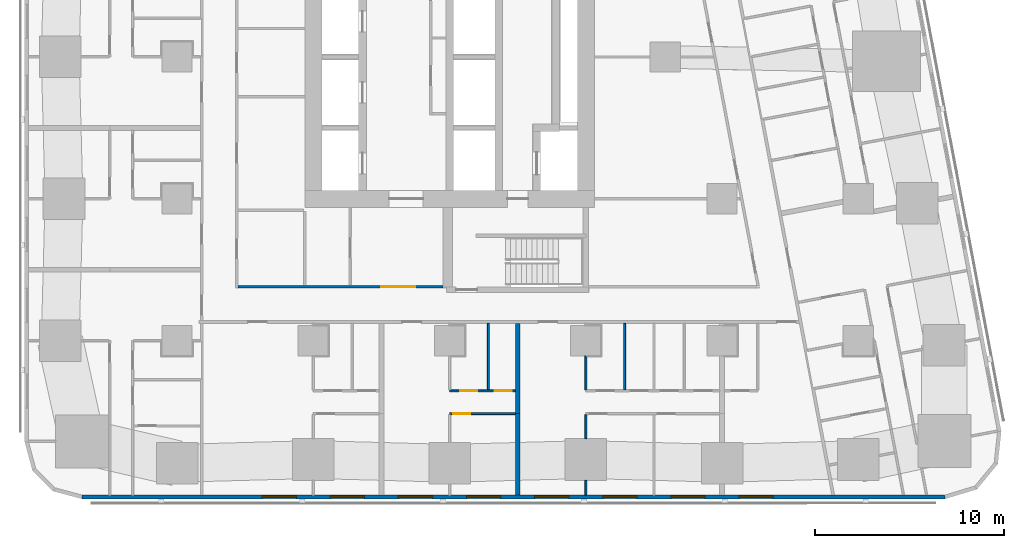
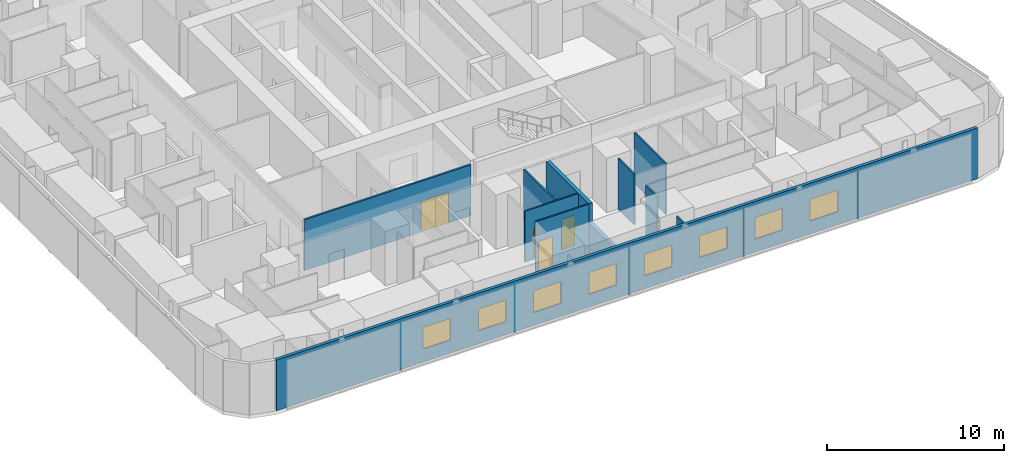
# One storey, part 3 of 16: 11 walls, 8 windows, 4 doors, 12 openings.
"""IFC4 building model written with IfcOpenShell, lengths in metres."""

from ifc_helpers import new_model, si_unit, direction, frame, frame_2d, origin, place, context, subcontext, project, spatial, rectangle, extrude, material, layer, layer_set, type_object, element, fill, save


model = new_model("IFC4")

# Units and contexts
model_context = context("Model", 3, precision=1e-05, world=origin(), true_north=direction((0.0, 1.0)))
body_context = subcontext(model_context, "Body", "Model", "MODEL_VIEW")
ifc_project = project(units=[si_unit("LENGTHUNIT", "METRE"), si_unit("AREAUNIT", "SQUARE_METRE"), si_unit("VOLUMEUNIT", "CUBIC_METRE"), si_unit("PLANEANGLEUNIT", "RADIAN"), si_unit("MASSUNIT", "GRAM", prefix="KILO")], contexts=[model_context])

# Site, building, storey
site_placement = place(None, origin())
site = spatial("IfcSite", under=ifc_project, at=site_placement, CompositionType="ELEMENT")
building_placement = place(site_placement, origin())
building = spatial("IfcBuilding", under=site, at=building_placement, Name="Sheger Commons Tower", CompositionType="ELEMENT")
storey_placement = place(building_placement, frame((0.0, 0.0, 96.64990234375)))
storey = spatial("IfcBuildingStorey", under=building, at=storey_placement, Name="L24", CompositionType="ELEMENT", Elevation=96.64990234375)

# Walls
ifc_material_1 = material(Name="Dense concrete block masonry, plastered both sides (separating wall between flats)", Category="masonry")
ifc_layer_1 = layer(ifc_material_1, 0.25)
ifc_layer_set_1 = layer_set([ifc_layer_1], Name="DEMISING WALL 250")
wall_type_1 = type_object("IfcWallType", Name="DEMISING WALL 250", PredefinedType="SOLIDWALL", material=ifc_layer_set_1)
wall_1_placement = place(storey_placement, frame((25.199951171875, -0.64990234375, 0.0), z_axis=(0.0, 0.0, 1.0), x_axis=(0.0, 1.0, 0.0)))
element("IfcWall", 1, at=wall_1_placement, inside=storey, type_object=wall_type_1, Name="Demising wall L24", PredefinedType="SOLIDWALL", context=body_context, shape_type="SweptSolid", body=[
    extrude(rectangle(XDim=4.2998046875, YDim=0.25, at=frame_2d((2.14990234375, 0.0))), origin(), (0.0, 0.0, 1.0), 2.2001953125),
])
wall_2_placement = place(storey_placement, frame((25.199951171875, 3.64990234375, 0.0), z_axis=(0.0, 0.0, 1.0), x_axis=(0.0, 1.0, 0.0)))
element("IfcWall", 2, at=wall_2_placement, inside=storey, type_object=wall_type_1, Name="Demising wall L24", PredefinedType="SOLIDWALL", context=body_context, shape_type="SweptSolid", body=[
    extrude(rectangle(XDim=4.775146484375, YDim=0.25, at=frame_2d((2.3876953125, 0.0))), origin(), (0.0, 0.0, 1.0), 3.5),
])

# Wall, openings, windows
ifc_material_2 = material(Name="Rendered concrete block masonry, dark grey", Category="masonry")
ifc_layer_2 = layer(ifc_material_2, 0.199951171875)
ifc_layer_set_2 = layer_set([ifc_layer_2], Name="FACADE WALL 200")
wall_type_2 = type_object("IfcWallType", Name="FACADE WALL 200", PredefinedType="SOLIDWALL", material=ifc_layer_set_2)
wall_3_placement = place(storey_placement, frame((2.1630859375, -0.75, 0.0), z_axis=(0.0, 0.0, 1.0), x_axis=(1.0, 0.0, 0.0)))
wall_3 = element("IfcWall", 3, at=wall_3_placement, inside=storey, type_object=wall_type_2, Name="Facade wall L24", PredefinedType="SOLIDWALL", context=body_context, shape_type="SweptSolid", body=[
    extrude(rectangle(XDim=45.6279296875, YDim=0.199951171875, at=frame_2d((22.81396484375, 0.0))), origin(), (0.0, 0.0, 1.0), 3.5),
])
opening_1_placement = place(wall_3_placement, frame((9.537109375, 0.0, 0.89990234375)))
opening_1 = element("IfcOpeningElement", 4, at=opening_1_placement, cuts=wall_3, Name="Opening W2", PredefinedType="OPENING", context=body_context, shape_type="SweptSolid", body=[
    extrude(rectangle(XDim=1.800048828125, YDim=1.5, at=frame_2d((0.89990234375, 0.75))), frame((0.0, 0.10986328125, 0.0), z_axis=(0.0, -1.0, 0.0), x_axis=(1.0, 0.0, 0.0)), (0.0, 0.0, 1.0), 0.219970703125),
])
opening_2_placement = place(wall_3_placement, frame((13.136962890625, 0.0, 0.89990234375)))
opening_2 = element("IfcOpeningElement", 5, at=opening_2_placement, cuts=wall_3, Name="Opening W2", PredefinedType="OPENING", context=body_context, shape_type="SweptSolid", body=[
    extrude(rectangle(XDim=1.800048828125, YDim=1.5, at=frame_2d((0.89990234375, 0.75))), frame((0.0, 0.10986328125, 0.0), z_axis=(0.0, -1.0, 0.0), x_axis=(1.0, 0.0, 0.0)), (0.0, 0.0, 1.0), 0.219970703125),
])
opening_3_placement = place(wall_3_placement, frame((16.737060546875, 0.0, 0.89990234375)))
opening_3 = element("IfcOpeningElement", 6, at=opening_3_placement, cuts=wall_3, Name="Opening W2", PredefinedType="OPENING", context=body_context, shape_type="SweptSolid", body=[
    extrude(rectangle(XDim=1.800048828125, YDim=1.5, at=frame_2d((0.89990234375, 0.75))), frame((0.0, 0.10986328125, 0.0), z_axis=(0.0, -1.0, 0.0), x_axis=(1.0, 0.0, 0.0)), (0.0, 0.0, 1.0), 0.219970703125),
])
opening_4_placement = place(wall_3_placement, frame((20.3369140625, 0.0, 0.89990234375)))
opening_4 = element("IfcOpeningElement", 7, at=opening_4_placement, cuts=wall_3, Name="Opening W2", PredefinedType="OPENING", context=body_context, shape_type="SweptSolid", body=[
    extrude(rectangle(XDim=1.800048828125, YDim=1.5, at=frame_2d((0.89990234375, 0.75))), frame((0.0, 0.10986328125, 0.0), z_axis=(0.0, -1.0, 0.0), x_axis=(1.0, 0.0, 0.0)), (0.0, 0.0, 1.0), 0.219970703125),
])
opening_5_placement = place(wall_3_placement, frame((23.93701171875, 0.0, 0.89990234375)))
opening_5 = element("IfcOpeningElement", 8, at=opening_5_placement, cuts=wall_3, Name="Opening W2", PredefinedType="OPENING", context=body_context, shape_type="SweptSolid", body=[
    extrude(rectangle(XDim=1.800048828125, YDim=1.5, at=frame_2d((0.89990234375, 0.75))), frame((0.0, 0.10986328125, 0.0), z_axis=(0.0, -1.0, 0.0), x_axis=(1.0, 0.0, 0.0)), (0.0, 0.0, 1.0), 0.219970703125),
])
opening_6_placement = place(wall_3_placement, frame((27.537109375, 0.0, 0.89990234375)))
opening_6 = element("IfcOpeningElement", 9, at=opening_6_placement, cuts=wall_3, Name="Opening W2", PredefinedType="OPENING", context=body_context, shape_type="SweptSolid", body=[
    extrude(rectangle(XDim=1.800048828125, YDim=1.5, at=frame_2d((0.89990234375, 0.75))), frame((0.0, 0.10986328125, 0.0), z_axis=(0.0, -1.0, 0.0), x_axis=(1.0, 0.0, 0.0)), (0.0, 0.0, 1.0), 0.219970703125),
])
opening_7_placement = place(wall_3_placement, frame((31.136962890625, 0.0, 0.89990234375)))
opening_7 = element("IfcOpeningElement", 10, at=opening_7_placement, cuts=wall_3, Name="Opening W2", PredefinedType="OPENING", context=body_context, shape_type="SweptSolid", body=[
    extrude(rectangle(XDim=1.800048828125, YDim=1.5, at=frame_2d((0.89990234375, 0.75))), frame((0.0, 0.10986328125, 0.0), z_axis=(0.0, -1.0, 0.0), x_axis=(1.0, 0.0, 0.0)), (0.0, 0.0, 1.0), 0.219970703125),
])
opening_8_placement = place(wall_3_placement, frame((34.737060546875, 0.0, 0.89990234375)))
opening_8 = element("IfcOpeningElement", 11, at=opening_8_placement, cuts=wall_3, Name="Opening W2", PredefinedType="OPENING", context=body_context, shape_type="SweptSolid", body=[
    extrude(rectangle(XDim=1.800048828125, YDim=1.5, at=frame_2d((0.89990234375, 0.75))), frame((0.0, 0.10986328125, 0.0), z_axis=(0.0, -1.0, 0.0), x_axis=(1.0, 0.0, 0.0)), (0.0, 0.0, 1.0), 0.219970703125),
])
ifc_material_3 = material(Name="Black aluminium frame, dark tinted double glazing", Category="aluminium")
window_type = type_object("IfcWindowType", Name="WINDOW W2 1800x1500", PartitioningType="SINGLE_PANEL", PredefinedType="WINDOW", material=ifc_material_3)
window_1_placement = place(opening_1_placement, origin())
window_1 = element("IfcWindow", 12, at=window_1_placement, inside=storey, type_object=window_type, Name="Window W2 1800X1500", OverallHeight=1.5, OverallWidth=1.800048828125, PartitioningType="SINGLE_PANEL", PredefinedType="WINDOW", context=body_context, shape_type="SweptSolid", body=[
    extrude(rectangle(XDim=1.800048828125, YDim=1.5, at=frame_2d((0.89990234375, 0.75))), frame((0.0, 0.030029296875, 0.0), z_axis=(0.0, -1.0, 0.0), x_axis=(1.0, 0.0, 0.0)), (0.0, 0.0, 1.0), 0.06005859375),
])
fill(opening_1, window_1)
window_2_placement = place(opening_2_placement, origin())
window_2 = element("IfcWindow", 13, at=window_2_placement, inside=storey, type_object=window_type, Name="Window W2 1800X1500", OverallHeight=1.5, OverallWidth=1.800048828125, PartitioningType="SINGLE_PANEL", PredefinedType="WINDOW", context=body_context, shape_type="SweptSolid", body=[
    extrude(rectangle(XDim=1.800048828125, YDim=1.5, at=frame_2d((0.89990234375, 0.75))), frame((0.0, 0.030029296875, 0.0), z_axis=(0.0, -1.0, 0.0), x_axis=(1.0, 0.0, 0.0)), (0.0, 0.0, 1.0), 0.06005859375),
])
fill(opening_2, window_2)
window_3_placement = place(opening_3_placement, origin())
window_3 = element("IfcWindow", 14, at=window_3_placement, inside=storey, type_object=window_type, Name="Window W2 1800X1500", OverallHeight=1.5, OverallWidth=1.800048828125, PartitioningType="SINGLE_PANEL", PredefinedType="WINDOW", context=body_context, shape_type="SweptSolid", body=[
    extrude(rectangle(XDim=1.800048828125, YDim=1.5, at=frame_2d((0.89990234375, 0.75))), frame((0.0, 0.030029296875, 0.0), z_axis=(0.0, -1.0, 0.0), x_axis=(1.0, 0.0, 0.0)), (0.0, 0.0, 1.0), 0.06005859375),
])
fill(opening_3, window_3)
window_4_placement = place(opening_4_placement, origin())
window_4 = element("IfcWindow", 15, at=window_4_placement, inside=storey, type_object=window_type, Name="Window W2 1800X1500", OverallHeight=1.5, OverallWidth=1.800048828125, PartitioningType="SINGLE_PANEL", PredefinedType="WINDOW", context=body_context, shape_type="SweptSolid", body=[
    extrude(rectangle(XDim=1.800048828125, YDim=1.5, at=frame_2d((0.89990234375, 0.75))), frame((0.0, 0.030029296875, 0.0), z_axis=(0.0, -1.0, 0.0), x_axis=(1.0, 0.0, 0.0)), (0.0, 0.0, 1.0), 0.06005859375),
])
fill(opening_4, window_4)
window_5_placement = place(opening_5_placement, origin())
window_5 = element("IfcWindow", 16, at=window_5_placement, inside=storey, type_object=window_type, Name="Window W2 1800X1500", OverallHeight=1.5, OverallWidth=1.800048828125, PartitioningType="SINGLE_PANEL", PredefinedType="WINDOW", context=body_context, shape_type="SweptSolid", body=[
    extrude(rectangle(XDim=1.800048828125, YDim=1.5, at=frame_2d((0.89990234375, 0.75))), frame((0.0, 0.030029296875, 0.0), z_axis=(0.0, -1.0, 0.0), x_axis=(1.0, 0.0, 0.0)), (0.0, 0.0, 1.0), 0.06005859375),
])
fill(opening_5, window_5)
window_6_placement = place(opening_6_placement, origin())
window_6 = element("IfcWindow", 17, at=window_6_placement, inside=storey, type_object=window_type, Name="Window W2 1800X1500", OverallHeight=1.5, OverallWidth=1.800048828125, PartitioningType="SINGLE_PANEL", PredefinedType="WINDOW", context=body_context, shape_type="SweptSolid", body=[
    extrude(rectangle(XDim=1.800048828125, YDim=1.5, at=frame_2d((0.89990234375, 0.75))), frame((0.0, 0.030029296875, 0.0), z_axis=(0.0, -1.0, 0.0), x_axis=(1.0, 0.0, 0.0)), (0.0, 0.0, 1.0), 0.06005859375),
])
fill(opening_6, window_6)
window_7_placement = place(opening_7_placement, origin())
window_7 = element("IfcWindow", 18, at=window_7_placement, inside=storey, type_object=window_type, Name="Window W2 1800X1500", OverallHeight=1.5, OverallWidth=1.800048828125, PartitioningType="SINGLE_PANEL", PredefinedType="WINDOW", context=body_context, shape_type="SweptSolid", body=[
    extrude(rectangle(XDim=1.800048828125, YDim=1.5, at=frame_2d((0.89990234375, 0.75))), frame((0.0, 0.030029296875, 0.0), z_axis=(0.0, -1.0, 0.0), x_axis=(1.0, 0.0, 0.0)), (0.0, 0.0, 1.0), 0.06005859375),
])
fill(opening_7, window_7)
window_8_placement = place(opening_8_placement, origin())
window_8 = element("IfcWindow", 19, at=window_8_placement, inside=storey, type_object=window_type, Name="Window W2 1800X1500", OverallHeight=1.5, OverallWidth=1.800048828125, PartitioningType="SINGLE_PANEL", PredefinedType="WINDOW", context=body_context, shape_type="SweptSolid", body=[
    extrude(rectangle(XDim=1.800048828125, YDim=1.5, at=frame_2d((0.89990234375, 0.75))), frame((0.0, 0.030029296875, 0.0), z_axis=(0.0, -1.0, 0.0), x_axis=(1.0, 0.0, 0.0)), (0.0, 0.0, 1.0), 0.06005859375),
])
fill(opening_8, window_8)

# Wall, opening, door
ifc_material_4 = material(Name="Gypsum board on steel studs", Category="steel")
ifc_layer_3 = layer(ifc_material_4, 0.10009765625)
ifc_layer_set_3 = layer_set([ifc_layer_3], Name="PARTITION 100")
wall_type_3 = type_object("IfcWallType", Name="PARTITION 100", PredefinedType="PARTITIONING", material=ifc_layer_set_3)
wall_4_placement = place(storey_placement, frame((25.074951171875, 3.64990234375, 0.0), z_axis=(0.0, 0.0, 1.0), x_axis=(-1.0, 0.0, 0.0)))
wall_4 = element("IfcWall", 20, at=wall_4_placement, inside=storey, type_object=wall_type_3, Name="Partition L24", PredefinedType="PARTITIONING", context=body_context, shape_type="SweptSolid", body=[
    extrude(rectangle(XDim=3.474853515625, YDim=0.10009765625, at=frame_2d((1.7373046875, 0.0))), origin(), (0.0, 0.0, 1.0), 3.5),
])
opening_9_placement = place(wall_4_placement, frame((2.375, 0.0, 0.0)))
opening_9 = element("IfcOpeningElement", 21, at=opening_9_placement, cuts=wall_4, Name="Opening D2", PredefinedType="OPENING", context=body_context, shape_type="SweptSolid", body=[
    extrude(rectangle(XDim=0.89990234375, YDim=2.10009765625, at=frame_2d((0.449951171875, 1.050048828125))), frame((0.0, 0.06005859375, 0.0), z_axis=(0.0, -1.0, 0.0), x_axis=(1.0, 0.0, 0.0)), (0.0, 0.0, 1.0), 0.1201171875),
])
ifc_material_5 = material(Name="Timber door set", Category="wood")
door_type_1 = type_object("IfcDoorType", Name="INTERNAL DOOR 900x2100", OperationType="NOTDEFINED", PredefinedType="DOOR", material=ifc_material_5)
door_1_placement = place(opening_9_placement, origin())
door_1 = element("IfcDoor", 22, at=door_1_placement, inside=storey, type_object=door_type_1, Name="Main bedroom door", OperationType="SINGLE_SWING_RIGHT", OverallHeight=2.10009765625, OverallWidth=0.89990234375, PredefinedType="DOOR", context=body_context, shape_type="SweptSolid", body=[
    extrude(rectangle(XDim=0.89990234375, YDim=2.10009765625, at=frame_2d((0.449951171875, 1.050048828125))), frame((0.0, 0.02490234375, 0.0), z_axis=(0.0, -1.0, 0.0), x_axis=(1.0, 0.0, 0.0)), (0.0, 0.0, 1.0), 0.050048828125),
])
fill(opening_9, door_1)

# Wall, openings, doors
wall_5_placement = place(storey_placement, frame((25.074951171875, 4.85009765625, 0.0), z_axis=(0.0, 0.0, 1.0), x_axis=(-1.0, 0.0, 0.0)))
wall_5 = element("IfcWall", 23, at=wall_5_placement, inside=storey, type_object=wall_type_3, Name="Partition L24", PredefinedType="PARTITIONING", context=body_context, shape_type="SweptSolid", body=[
    extrude(rectangle(XDim=3.474853515625, YDim=0.10009765625, at=frame_2d((1.7373046875, 0.0))), origin(), (0.0, 0.0, 1.0), 3.5),
])
opening_10_placement = place(wall_5_placement, frame((2.0, 0.0, 0.0)))
opening_10 = element("IfcOpeningElement", 24, at=opening_10_placement, cuts=wall_5, Name="Opening D2", PredefinedType="OPENING", context=body_context, shape_type="SweptSolid", body=[
    extrude(rectangle(XDim=0.89990234375, YDim=2.10009765625, at=frame_2d((0.449951171875, 1.050048828125))), frame((0.0, 0.06005859375, 0.0), z_axis=(0.0, -1.0, 0.0), x_axis=(1.0, 0.0, 0.0)), (0.0, 0.0, 1.0), 0.1201171875),
])
opening_11_placement = place(wall_5_placement, frame((0.199951171875, 0.0, 0.0)))
opening_11 = element("IfcOpeningElement", 25, at=opening_11_placement, cuts=wall_5, Name="Opening D2", PredefinedType="OPENING", context=body_context, shape_type="SweptSolid", body=[
    extrude(rectangle(XDim=0.89990234375, YDim=2.10009765625, at=frame_2d((0.449951171875, 1.050048828125))), frame((0.0, 0.06005859375, 0.0), z_axis=(0.0, -1.0, 0.0), x_axis=(1.0, 0.0, 0.0)), (0.0, 0.0, 1.0), 0.1201171875),
])
door_2_placement = place(opening_10_placement, origin())
door_2 = element("IfcDoor", 26, at=door_2_placement, inside=storey, type_object=door_type_1, Name="Bathroom door", OperationType="SINGLE_SWING_LEFT", OverallHeight=2.10009765625, OverallWidth=0.89990234375, PredefinedType="DOOR", context=body_context, shape_type="SweptSolid", body=[
    extrude(rectangle(XDim=0.89990234375, YDim=2.10009765625, at=frame_2d((0.449951171875, 1.050048828125))), frame((0.0, 0.02490234375, 0.0), z_axis=(0.0, -1.0, 0.0), x_axis=(1.0, 0.0, 0.0)), (0.0, 0.0, 1.0), 0.050048828125),
])
fill(opening_10, door_2)
door_3_placement = place(opening_11_placement, origin())
door_3 = element("IfcDoor", 27, at=door_3_placement, inside=storey, type_object=door_type_1, Name="Store door", OperationType="SINGLE_SWING_RIGHT", OverallHeight=2.10009765625, OverallWidth=0.89990234375, PredefinedType="DOOR", context=body_context, shape_type="SweptSolid", body=[
    extrude(rectangle(XDim=0.89990234375, YDim=2.10009765625, at=frame_2d((0.449951171875, 1.050048828125))), frame((0.0, 0.02490234375, 0.0), z_axis=(0.0, -1.0, 0.0), x_axis=(1.0, 0.0, 0.0)), (0.0, 0.0, 1.0), 0.050048828125),
])
fill(opening_11, door_3)

# Walls
wall_6_placement = place(storey_placement, frame((23.64990234375, 4.89990234375, 0.0), z_axis=(0.0, 0.0, 1.0), x_axis=(0.0, 1.0, 0.0)))
element("IfcWall", 28, at=wall_6_placement, inside=storey, type_object=wall_type_3, Name="Partition L24", PredefinedType="PARTITIONING", context=body_context, shape_type="SweptSolid", body=[
    extrude(rectangle(XDim=3.525146484375, YDim=0.10009765625, at=frame_2d((1.7626953125, 0.0))), origin(), (0.0, 0.0, 1.0), 3.5),
])
wall_7_placement = place(storey_placement, frame((28.800048828125, -0.64990234375, 0.0), z_axis=(0.0, 0.0, 1.0), x_axis=(0.0, 1.0, 0.0)))
element("IfcWall", 29, at=wall_7_placement, inside=storey, type_object=wall_type_3, Name="Partition L24", PredefinedType="PARTITIONING", context=body_context, shape_type="SweptSolid", body=[
    extrude(rectangle(XDim=0.77392578125, YDim=0.10009765625, at=frame_2d((0.386962890625, 0.0))), origin(), (0.0, 0.0, 1.0), 3.5),
])
wall_8_placement = place(storey_placement, frame((28.800048828125, 2.325927734375, 0.0), z_axis=(0.0, 0.0, 1.0), x_axis=(0.0, 1.0, 0.0)))
element("IfcWall", 30, at=wall_8_placement, inside=storey, type_object=wall_type_3, Name="Partition L24", PredefinedType="PARTITIONING", context=body_context, shape_type="SweptSolid", body=[
    extrude(rectangle(XDim=1.274169921875, YDim=0.10009765625, at=frame_2d((0.63720703125, 0.0))), origin(), (0.0, 0.0, 1.0), 3.5),
])
wall_9_placement = place(storey_placement, frame((28.800048828125, 4.89990234375, 0.0), z_axis=(0.0, 0.0, 1.0), x_axis=(0.0, 1.0, 0.0)))
element("IfcWall", 31, at=wall_9_placement, inside=storey, type_object=wall_type_3, Name="Partition L24", PredefinedType="PARTITIONING", context=body_context, shape_type="SweptSolid", body=[
    extrude(rectangle(XDim=1.799072265625, YDim=0.10009765625, at=frame_2d((0.8994140625, 0.0))), origin(), (0.0, 0.0, 1.0), 3.5),
])
wall_10_placement = place(storey_placement, frame((30.85009765625, 4.89990234375, 0.0), z_axis=(0.0, 0.0, 1.0), x_axis=(0.0, 1.0, 0.0)))
element("IfcWall", 32, at=wall_10_placement, inside=storey, type_object=wall_type_3, Name="Partition L24", PredefinedType="PARTITIONING", context=body_context, shape_type="SweptSolid", body=[
    extrude(rectangle(XDim=3.525146484375, YDim=0.10009765625, at=frame_2d((1.7626953125, 0.0))), origin(), (0.0, 0.0, 1.0), 3.5),
])

# Wall, opening, door
ifc_material_6 = material(Name="Gypsum board on steel studs, two layers each side, fire rated", Category="steel")
ifc_layer_4 = layer(ifc_material_6, 0.125)
ifc_layer_set_4 = layer_set([ifc_layer_4], Name="SERVICE WALL 125")
wall_type_4 = type_object("IfcWallType", Name="SERVICE WALL 125", PredefinedType="PARTITIONING", material=ifc_layer_set_4)
wall_11_placement = place(storey_placement, frame((10.4130859375, 10.35009765625, 0.0), z_axis=(0.0, 0.0, 1.0), x_axis=(1.0, 0.0, 0.0)))
wall_11 = element("IfcWall", 33, at=wall_11_placement, inside=storey, type_object=wall_type_4, Name="Service room wall L24", PredefinedType="PARTITIONING", context=body_context, shape_type="SweptSolid", body=[
    extrude(rectangle(XDim=10.8369140625, YDim=0.125, at=frame_2d((5.41845703125, 0.0))), origin(), (0.0, 0.0, 1.0), 3.5),
])
opening_12_placement = place(wall_11_placement, frame((7.58203125, 0.0, 0.0)))
opening_12 = element("IfcOpeningElement", 34, at=opening_12_placement, cuts=wall_11, Name="Opening D6", PredefinedType="OPENING", context=body_context, shape_type="SweptSolid", body=[
    extrude(rectangle(XDim=1.800048828125, YDim=2.10009765625, at=frame_2d((0.89990234375, 1.050048828125))), frame((0.0, 0.072509765625, 0.0), z_axis=(0.0, -1.0, 0.0), x_axis=(1.0, 0.0, 0.0)), (0.0, 0.0, 1.0), 0.14501953125),
])
ifc_material_7 = material(Name="Steel door set, fire rated", Category="steel")
door_type_2 = type_object("IfcDoorType", Name="LOBBY DOUBLE DOOR 1800x2100", OperationType="DOUBLE_DOOR_SINGLE_SWING", PredefinedType="DOOR", material=ifc_material_7)
door_4_placement = place(opening_12_placement, origin())
door_4 = element("IfcDoor", 35, at=door_4_placement, inside=storey, type_object=door_type_2, Name="Lift lobby south door", OperationType="DOUBLE_DOOR_SINGLE_SWING", OverallHeight=2.10009765625, OverallWidth=1.800048828125, PredefinedType="DOOR", context=body_context, shape_type="SweptSolid", body=[
    extrude(rectangle(XDim=1.800048828125, YDim=2.10009765625, at=frame_2d((0.89990234375, 1.050048828125))), frame((0.0, 0.02490234375, 0.0), z_axis=(0.0, -1.0, 0.0), x_axis=(1.0, 0.0, 0.0)), (0.0, 0.0, 1.0), 0.050048828125),
])
fill(opening_12, door_4)

save(model, "model.ifc")
